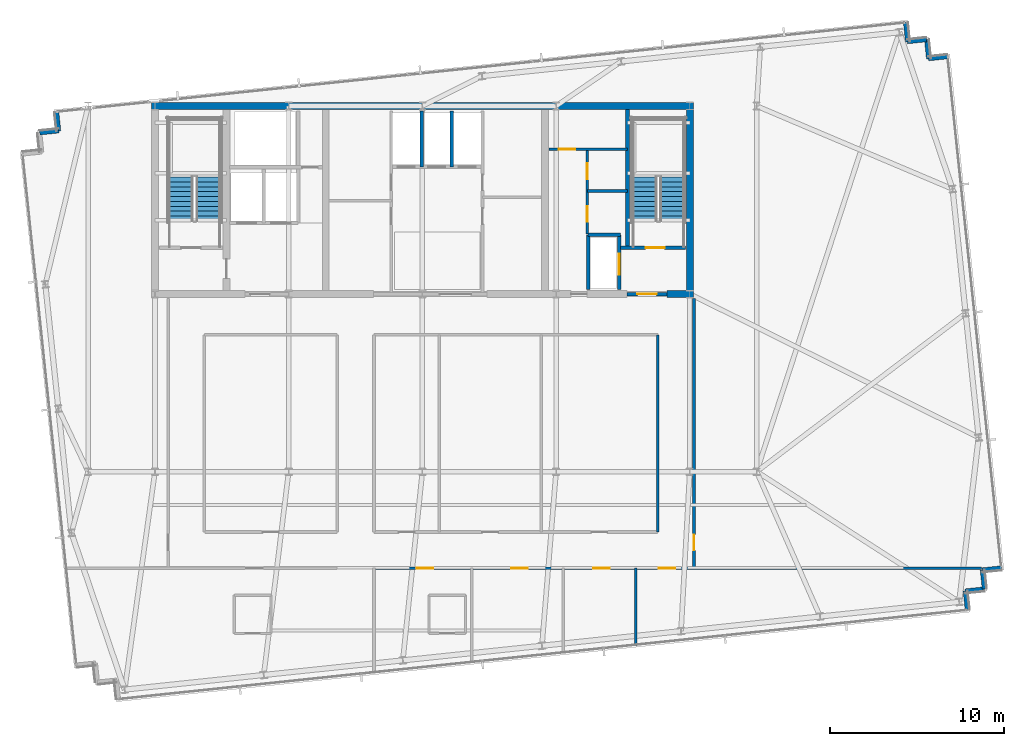
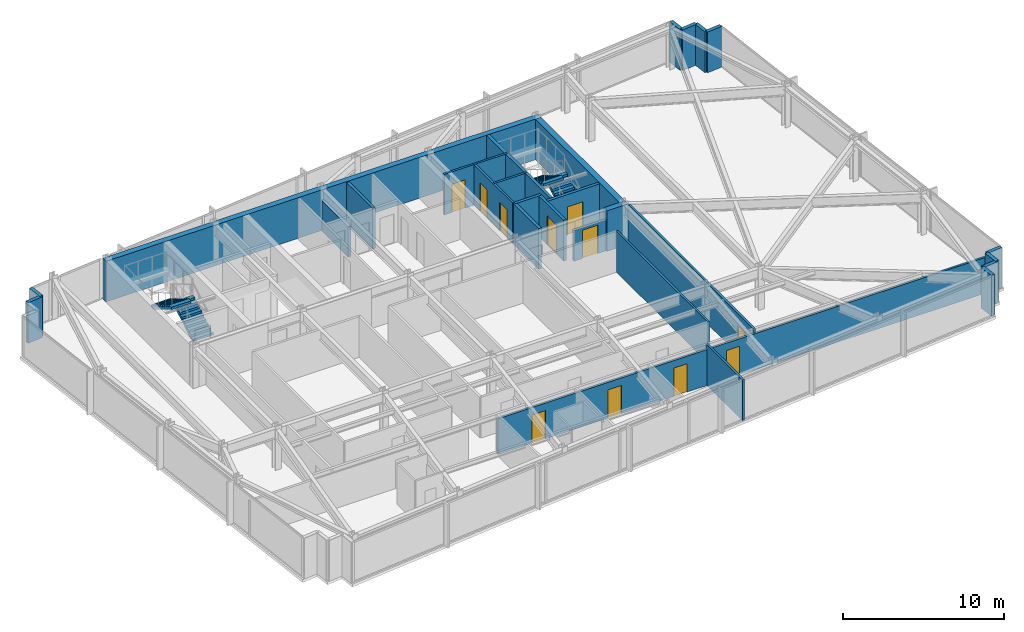
# One storey, part 28 of 32: 28 walls, 11 doors, 4 stair flights, 11 openings, 2 elements without a shape of their own.
"""IFC4 building model written with IfcOpenShell, lengths in metres."""

from ifc_helpers import new_model, si_unit, direction, frame, frame_2d, origin, place, context, subcontext, project, spatial, polyline, rectangle, outline, extrude, material, layer, layer_set, type_object, element, fill, aggregate, save


model = new_model("IFC4")

# Units and contexts
model_context = context("Model", 3, precision=1e-05, world=origin(), true_north=direction((0.0, 1.0)))
body_context = subcontext(model_context, "Body", "Model", "MODEL_VIEW")
ifc_project = project(units=[si_unit("LENGTHUNIT", "METRE"), si_unit("AREAUNIT", "SQUARE_METRE"), si_unit("VOLUMEUNIT", "CUBIC_METRE"), si_unit("PLANEANGLEUNIT", "RADIAN"), si_unit("MASSUNIT", "GRAM", prefix="KILO")], contexts=[model_context])

# Site, building, storey
site_placement = place(None, origin())
site = spatial("IfcSite", under=ifc_project, at=site_placement, CompositionType="ELEMENT")
building_placement = place(site_placement, origin())
building = spatial("IfcBuilding", under=site, at=building_placement, Name="Yelkora Congress Tower", CompositionType="ELEMENT")
storey_placement = place(building_placement, frame((0.0, 0.0, 211.10009765625)))
storey = spatial("IfcBuildingStorey", under=building, at=storey_placement, Name="L58", CompositionType="ELEMENT", Elevation=211.10009765625)

# Walls
ifc_material_1 = material(Name="Concrete C50/60", Category="concrete")
ifc_layer_1 = layer(ifc_material_1, 0.219970703125)
ifc_layer_set_1 = layer_set([ifc_layer_1], Name="Concrete C50/60")
wall_type_1 = type_object("IfcWallType", Name="WALL-CORE-INT-220", PredefinedType="SHEAR", material=ifc_layer_set_1)
wall_1_placement = place(storey_placement, frame((50.179931640625, 38.050048828125, 0.0), z_axis=(0.0, 0.0, 1.0), x_axis=(0.0, 1.0, 0.0)))
element("IfcWall", 1, at=wall_1_placement, inside=storey, type_object=wall_type_1, Name="L58 ST02 West Stair Shear Wall", PredefinedType="SHEAR", context=body_context, shape_type="SweptSolid", body=[
    extrude(rectangle(XDim=7.949951171875, YDim=0.219970703125, at=frame_2d((3.97509765625, 0.0))), origin(), (0.0, 0.0, 1.0), 3.079833984375),
])
ifc_layer_2 = layer(ifc_material_1, 0.39990234375)
ifc_layer_set_2 = layer_set([ifc_layer_2], Name="Concrete C50/60")
wall_type_2 = type_object("IfcWallType", Name="WALL-CORE-INT-400", PredefinedType="SHEAR", material=ifc_layer_set_2)
wall_2_placement = place(storey_placement, frame((22.840087890625, 46.199951171875, 0.0), z_axis=(0.0, 0.0, 1.0), x_axis=(1.0, 0.0, 0.0)))
element("IfcWall", 2, at=wall_2_placement, inside=storey, type_object=wall_type_2, Name="L58 Rear Core North Shear Wall", PredefinedType="SHEAR", context=body_context, shape_type="SweptSolid", body=[
    extrude(rectangle(XDim=31.119873046875, YDim=0.39990234375, at=frame_2d((15.56005859375, 0.0))), origin(), (0.0, 0.0, 1.0), 3.079833984375),
])
wall_3_placement = place(storey_placement, frame((52.449951171875, 35.39990234375, 0.0), z_axis=(0.0, 0.0, 1.0), x_axis=(1.0, 0.0, 0.0)))
element("IfcWall", 3, at=wall_3_placement, inside=storey, type_object=wall_type_2, Name="L58 Rear Core South-East Shear Wall B", PredefinedType="SHEAR", context=body_context, shape_type="SweptSolid", body=[
    extrude(rectangle(XDim=1.510009765625, YDim=0.39990234375, at=frame_2d((0.7548828125, 0.0))), origin(), (0.0, 0.0, 1.0), 3.079833984375),
])
wall_4_placement = place(storey_placement, frame((53.760009765625, 35.60009765625, 0.0), z_axis=(0.0, 0.0, 1.0), x_axis=(0.0, 1.0, 0.0)))
element("IfcWall", 4, at=wall_4_placement, inside=storey, type_object=wall_type_2, Name="L58 Rear Core Cross Shear Wall E", PredefinedType="SHEAR", context=body_context, shape_type="SweptSolid", body=[
    extrude(rectangle(XDim=10.39990234375, YDim=0.39990234375, at=frame_2d((5.199951171875, 0.0))), origin(), (0.0, 0.0, 1.0), 3.079833984375),
])
ifc_material_2 = material(Name="Concrete C40/50", Category="concrete")
ifc_layer_3 = layer(ifc_material_2, 0.239990234375)
ifc_layer_set_3 = layer_set([ifc_layer_3], Name="Concrete C40/50")
wall_type_3 = type_object("IfcWallType", Name="WALL-EXT-LIMESTONE-240", PredefinedType="SOLIDWALL", material=ifc_layer_set_3)
wall_5_placement = place(storey_placement, frame((16.420166015625, 44.65380859375, 0.0), z_axis=(0.0, 0.0, 1.0), x_axis=(0.994541884982, 0.104338099541, 0.0)))
element("IfcWall", 5, at=wall_5_placement, inside=storey, type_object=wall_type_3, Name="L58 Serrated Corner Limestone Pier 8", PredefinedType="SOLIDWALL", context=body_context, shape_type="SweptSolid", body=[
    extrude(rectangle(XDim=1.099853515625, YDim=0.239990234375, at=frame_2d((0.5498046875, 0.0))), origin(), (0.0, 0.0, 1.0), 3.079833984375),
])
for number, where, z_axis, x_axis, name in (
    (6, (17.513916015625, 44.7685546875, 0.0), (0.0, 0.0, 1.0), (-0.104534592565, 0.994521251134, 0.0), "L58 Serrated Corner Limestone Pier 9"),
    (7, (66.150390625, 50.986572265625, 0.0), (0.0, 0.0, 1.0), (0.104534592565, -0.994521251134, 0.0), "L58 Serrated Corner Limestone Pier 11"),
    (8, (66.265380859375, 49.892578125, 0.0), (0.0, 0.0, 1.0), (0.994521251134, 0.104534592565, 0.0), "L58 Serrated Corner Limestone Pier 12"),
    (9, (67.359375, 50.007568359375, 0.0), (0.0, 0.0, 1.0), (0.104534592565, -0.994521251134, 0.0), "L58 Serrated Corner Limestone Pier 13"),
    (10, (67.474365234375, 48.91357421875, 0.0), (0.0, 0.0, 1.0), (0.994521251134, 0.104534592565, 0.0), "L58 Serrated Corner Limestone Pier 14"),
    (11, (71.654052734375, 19.67041015625, 0.0), (0.0, 0.0, 1.0), (-0.994521251134, -0.104534592565, 0.0), "L58 Serrated Corner Limestone Pier 16"),
    (12, (70.56005859375, 19.555419921875, 0.0), (0.0, 0.0, 1.0), (0.104534592565, -0.994521251134, 0.0), "L58 Serrated Corner Limestone Pier 17"),
    (13, (70.675048828125, 18.46142578125, 0.0), (0.0, 0.0, 1.0), (-0.994521251134, -0.104534592565, 0.0), "L58 Serrated Corner Limestone Pier 18"),
    (14, (69.5810546875, 18.346435546875, 0.0), (0.0, 0.0, 1.0), (0.104534592565, -0.994521251134, 0.0), "L58 Serrated Corner Limestone Pier 19"),
):
    element("IfcWall", number, at=place(storey_placement, frame(where, z_axis=z_axis, x_axis=x_axis)), inside=storey, type_object=wall_type_3, Name=name, PredefinedType="SOLIDWALL", context=body_context, shape_type="SweptSolid", body=[
        extrude(rectangle(XDim=1.10009765625, YDim=0.239990234375, at=frame_2d((0.550048828125, 0.0))), origin(), (0.0, 0.0, 1.0), 3.079833984375),
    ])

# Wall, opening, door
ifc_material_3 = material(Name="Acoustic metal-stud gypsum partition", Category="gypsum")
ifc_layer_4 = layer(ifc_material_3, 0.14990234375)
ifc_layer_set_4 = layer_set([ifc_layer_4], Name="Acoustic metal-stud gypsum partition")
wall_type_4 = type_object("IfcWallType", Name="WALL-INT-150-NR", PredefinedType="PARTITIONING", material=ifc_layer_set_4)
wall_6_placement = place(storey_placement, frame((45.679931640625, 43.719970703125, 0.0), z_axis=(0.0, 0.0, 1.0), x_axis=(1.0, 0.0, 0.0)))
wall_6 = element("IfcWall", 15, at=wall_6_placement, inside=storey, type_object=wall_type_4, Name="L58 Partition Wall 20", PredefinedType="PARTITIONING", context=body_context, shape_type="SweptSolid", body=[
    extrude(rectangle(XDim=4.5, YDim=0.14990234375, at=frame_2d((2.25, 0.0))), origin(), (0.0, 0.0, 1.0), 3.079833984375),
])
opening_1_placement = place(wall_6_placement, frame((0.550048828125, 0.0, 0.0)))
opening_1 = element("IfcOpeningElement", 16, at=opening_1_placement, cuts=wall_6, Name="Opening DR-095N", PredefinedType="OPENING", context=body_context, shape_type="SweptSolid", body=[
    extrude(rectangle(XDim=0.949951171875, YDim=2.14990234375, at=frame_2d((0.47509765625, 1.074951171875))), frame((0.0, 0.0849609375, 0.0), z_axis=(0.0, -1.0, 0.0), x_axis=(1.0, 0.0, 0.0)), (0.0, 0.0, 1.0), 0.169921875),
])
ifc_material_4 = material(Name="Acoustic laminated timber office door", Category="wood")
door_type_1 = type_object("IfcDoorType", Name="DOOR-INT-950", OperationType="NOTDEFINED", PredefinedType="DOOR", material=ifc_material_4)
door_1_placement = place(opening_1_placement, origin())
door_1 = element("IfcDoor", 17, at=door_1_placement, inside=storey, type_object=door_type_1, Name="L58 Accessible WC Door", OperationType="SINGLE_SWING_LEFT", OverallHeight=2.14990234375, OverallWidth=0.949951171875, PredefinedType="DOOR", context=body_context, shape_type="SweptSolid", body=[
    extrude(rectangle(XDim=0.949951171875, YDim=2.14990234375, at=frame_2d((0.47509765625, 1.074951171875))), frame((0.0, 0.02490234375, 0.0), z_axis=(0.0, -1.0, 0.0), x_axis=(1.0, 0.0, 0.0)), (0.0, 0.0, 1.0), 0.050048828125),
])
fill(opening_1, door_1)

# Wall
wall_7_placement = place(storey_placement, frame((47.8798828125, 41.320068359375, 0.0), z_axis=(0.0, 0.0, 1.0), x_axis=(1.0, 0.0, 0.0)))
element("IfcWall", 18, at=wall_7_placement, inside=storey, type_object=wall_type_4, Name="L58 Partition Wall 21", PredefinedType="PARTITIONING", context=body_context, shape_type="SweptSolid", body=[
    extrude(rectangle(XDim=2.300048828125, YDim=0.14990234375, at=frame_2d((1.14990234375, 0.0))), origin(), (0.0, 0.0, 1.0), 3.079833984375),
])

# Wall, openings, doors
wall_8_placement = place(storey_placement, frame((47.8798828125, 38.85009765625, 0.0), z_axis=(0.0, 0.0, 1.0), x_axis=(0.0, 1.0, 0.0)))
wall_8 = element("IfcWall", 19, at=wall_8_placement, inside=storey, type_object=wall_type_4, Name="L58 Partition Wall 22", PredefinedType="PARTITIONING", context=body_context, shape_type="SweptSolid", body=[
    extrude(rectangle(XDim=4.869873046875, YDim=0.14990234375, at=frame_2d((2.43505859375, 0.0))), origin(), (0.0, 0.0, 1.0), 3.079833984375),
])
opening_2_placement = place(wall_8_placement, frame((0.699951171875, 0.0, 0.0)))
opening_2 = element("IfcOpeningElement", 20, at=opening_2_placement, cuts=wall_8, Name="Opening DR-090N", PredefinedType="OPENING", context=body_context, shape_type="SweptSolid", body=[
    extrude(rectangle(XDim=0.89990234375, YDim=2.14990234375, at=frame_2d((0.449951171875, 1.074951171875))), frame((0.0, 0.0849609375, 0.0), z_axis=(0.0, -1.0, 0.0), x_axis=(1.0, 0.0, 0.0)), (0.0, 0.0, 1.0), 0.169921875),
])
opening_3_placement = place(wall_8_placement, frame((3.14990234375, 0.0, 0.0)))
opening_3 = element("IfcOpeningElement", 21, at=opening_3_placement, cuts=wall_8, Name="Opening DR-090N", PredefinedType="OPENING", context=body_context, shape_type="SweptSolid", body=[
    extrude(rectangle(XDim=0.89990234375, YDim=2.14990234375, at=frame_2d((0.449951171875, 1.074951171875))), frame((0.0, 0.0849609375, 0.0), z_axis=(0.0, -1.0, 0.0), x_axis=(1.0, 0.0, 0.0)), (0.0, 0.0, 1.0), 0.169921875),
])
ifc_material_5 = material(Name="Moisture-resistant laminate door leaf", Category="wood")
door_type_2 = type_object("IfcDoorType", Name="DOOR-INT-900", OperationType="NOTDEFINED", PredefinedType="DOOR", material=ifc_material_5)
door_2_placement = place(opening_2_placement, origin())
door_2 = element("IfcDoor", 22, at=door_2_placement, inside=storey, type_object=door_type_2, Name="L58 Male WC Door", OperationType="SINGLE_SWING_RIGHT", OverallHeight=2.14990234375, OverallWidth=0.89990234375, PredefinedType="DOOR", context=body_context, shape_type="SweptSolid", body=[
    extrude(rectangle(XDim=0.89990234375, YDim=2.14990234375, at=frame_2d((0.449951171875, 1.074951171875))), frame((0.0, 0.02490234375, 0.0), z_axis=(0.0, -1.0, 0.0), x_axis=(1.0, 0.0, 0.0)), (0.0, 0.0, 1.0), 0.050048828125),
])
fill(opening_2, door_2)
door_3_placement = place(opening_3_placement, origin())
door_3 = element("IfcDoor", 23, at=door_3_placement, inside=storey, type_object=door_type_2, Name="L58 Female WC Door", OperationType="SINGLE_SWING_LEFT", OverallHeight=2.14990234375, OverallWidth=0.89990234375, PredefinedType="DOOR", context=body_context, shape_type="SweptSolid", body=[
    extrude(rectangle(XDim=0.89990234375, YDim=2.14990234375, at=frame_2d((0.449951171875, 1.074951171875))), frame((0.0, 0.02490234375, 0.0), z_axis=(0.0, -1.0, 0.0), x_axis=(1.0, 0.0, 0.0)), (0.0, 0.0, 1.0), 0.050048828125),
])
fill(opening_3, door_3)

# Wall, opening, door
wall_9_placement = place(storey_placement, frame((54.0, 19.64990234375, 0.0), z_axis=(0.0, 0.0, 1.0), x_axis=(0.0, 1.0, 0.0)))
wall_9 = element("IfcWall", 24, at=wall_9_placement, inside=storey, type_object=wall_type_4, Name="L58 Partition Wall 38", PredefinedType="PARTITIONING", context=body_context, shape_type="SweptSolid", body=[
    extrude(rectangle(XDim=15.489990234375, YDim=0.14990234375, at=frame_2d((7.7451171875, 0.0))), origin(), (0.0, 0.0, 1.0), 3.079833984375),
])
opening_4_placement = place(wall_9_placement, frame((1.030029296875, 0.0, 0.0)))
opening_4 = element("IfcOpeningElement", 25, at=opening_4_placement, cuts=wall_9, Name="Opening DR-090N", PredefinedType="OPENING", context=body_context, shape_type="SweptSolid", body=[
    extrude(rectangle(XDim=0.89990234375, YDim=2.14990234375, at=frame_2d((0.449951171875, 1.074951171875))), frame((0.0, 0.0849609375, 0.0), z_axis=(0.0, -1.0, 0.0), x_axis=(1.0, 0.0, 0.0)), (0.0, 0.0, 1.0), 0.169921875),
])
door_4_placement = place(opening_4_placement, origin())
door_4 = element("IfcDoor", 26, at=door_4_placement, inside=storey, type_object=door_type_2, Name="L58 E Wing Door", OperationType="SINGLE_SWING_RIGHT", OverallHeight=2.14990234375, OverallWidth=0.89990234375, PredefinedType="DOOR", context=body_context, shape_type="SweptSolid", body=[
    extrude(rectangle(XDim=0.89990234375, YDim=2.14990234375, at=frame_2d((0.449951171875, 1.074951171875))), frame((0.0, 0.02490234375, 0.0), z_axis=(0.0, -1.0, 0.0), x_axis=(1.0, 0.0, 0.0)), (0.0, 0.0, 1.0), 0.050048828125),
])
fill(opening_4, door_4)

# Walls
wall_10_placement = place(storey_placement, frame((51.919921875, 21.72998046875, 0.0), z_axis=(0.0, 0.0, 1.0), x_axis=(0.0, 1.0, 0.0)))
element("IfcWall", 27, at=wall_10_placement, inside=storey, type_object=wall_type_4, Name="L58 Partition Wall 40", PredefinedType="PARTITIONING", context=body_context, shape_type="SweptSolid", body=[
    extrude(rectangle(XDim=11.320068359375, YDim=0.14990234375, at=frame_2d((5.66015625, 0.0))), origin(), (0.0, 0.0, 1.0), 3.079833984375),
])
ifc_material_6 = material(Name="Twin-stud fire-rated gypsum partition", Category="gypsum")
ifc_layer_5 = layer(ifc_material_6, 0.14990234375)
ifc_layer_set_5 = layer_set([ifc_layer_5], Name="Twin-stud fire-rated gypsum partition")
wall_type_5 = type_object("IfcWallType", Name="WALL-INT-150-R60", PredefinedType="PARTITIONING", material=ifc_layer_set_5)
wall_11_placement = place(storey_placement, frame((50.64892578125, 15.190185546875, 0.0), z_axis=(0.0, 0.0, 1.0), x_axis=(0.0, 1.0, 0.0)))
element("IfcWall", 28, at=wall_11_placement, inside=storey, type_object=wall_type_5, Name="L58 Partition Wall 34", PredefinedType="PARTITIONING", context=body_context, shape_type="SweptSolid", body=[
    extrude(rectangle(XDim=4.479736328125, YDim=0.14990234375, at=frame_2d((2.23974609375, 0.0))), origin(), (0.0, 0.0, 1.0), 3.079833984375),
])

# Wall, openings, doors
wall_12_placement = place(storey_placement, frame((35.6201171875, 19.64990234375, 0.0), z_axis=(0.0, 0.0, 1.0), x_axis=(1.0, 0.0, 0.0)))
wall_12 = element("IfcWall", 29, at=wall_12_placement, inside=storey, type_object=wall_type_5, Name="L58 South Spine Wall East", PredefinedType="PARTITIONING", context=body_context, shape_type="SweptSolid", body=[
    extrude(rectangle(XDim=34.89990234375, YDim=0.14990234375, at=frame_2d((17.449951171875, 0.0))), origin(), (0.0, 0.0, 1.0), 2.71484375),
])
opening_5_placement = place(wall_12_placement, frame((2.4541015625, 0.0, 0.0)))
opening_5 = element("IfcOpeningElement", 30, at=opening_5_placement, cuts=wall_12, Name="Opening DR-095F6", PredefinedType="OPENING", context=body_context, shape_type="SweptSolid", body=[
    extrude(rectangle(XDim=0.949951171875, YDim=2.14990234375, at=frame_2d((0.47509765625, 1.074951171875))), frame((0.0, 0.0849609375, 0.0), z_axis=(0.0, -1.0, 0.0), x_axis=(1.0, 0.0, 0.0)), (0.0, 0.0, 1.0), 0.169921875),
])
opening_6_placement = place(wall_12_placement, frame((7.887939453125, 0.0, 0.0)))
opening_6 = element("IfcOpeningElement", 31, at=opening_6_placement, cuts=wall_12, Name="Opening DR-095F6", PredefinedType="OPENING", context=body_context, shape_type="SweptSolid", body=[
    extrude(rectangle(XDim=0.949951171875, YDim=2.14990234375, at=frame_2d((0.47509765625, 1.074951171875))), frame((0.0, 0.0849609375, 0.0), z_axis=(0.0, -1.0, 0.0), x_axis=(1.0, 0.0, 0.0)), (0.0, 0.0, 1.0), 0.169921875),
])
opening_7_placement = place(wall_12_placement, frame((12.593505859375, 0.0, 0.0)))
opening_7 = element("IfcOpeningElement", 32, at=opening_7_placement, cuts=wall_12, Name="Opening DR-095F6", PredefinedType="OPENING", context=body_context, shape_type="SweptSolid", body=[
    extrude(rectangle(XDim=0.949951171875, YDim=2.14990234375, at=frame_2d((0.47509765625, 1.074951171875))), frame((0.0, 0.0849609375, 0.0), z_axis=(0.0, -1.0, 0.0), x_axis=(1.0, 0.0, 0.0)), (0.0, 0.0, 1.0), 0.169921875),
])
opening_8_placement = place(wall_12_placement, frame((16.344482421875, 0.0, 0.0)))
opening_8 = element("IfcOpeningElement", 33, at=opening_8_placement, cuts=wall_12, Name="Opening DR-095F6", PredefinedType="OPENING", context=body_context, shape_type="SweptSolid", body=[
    extrude(rectangle(XDim=0.949951171875, YDim=2.14990234375, at=frame_2d((0.47509765625, 1.074951171875))), frame((0.0, 0.0849609375, 0.0), z_axis=(0.0, -1.0, 0.0), x_axis=(1.0, 0.0, 0.0)), (0.0, 0.0, 1.0), 0.169921875),
])
ifc_material_7 = material(Name="Acoustic oak-veneer fire door leaf", Category="wood")
door_type_3 = type_object("IfcDoorType", Name="DOOR-FD60-950", OperationType="NOTDEFINED", PredefinedType="DOOR", material=ifc_material_7)
door_5_placement = place(opening_5_placement, origin())
door_5 = element("IfcDoor", 34, at=door_5_placement, inside=storey, type_object=door_type_3, Name="L58 Hotel Guest Room 03 Entry Door", OperationType="SINGLE_SWING_LEFT", OverallHeight=2.14990234375, OverallWidth=0.949951171875, PredefinedType="DOOR", context=body_context, shape_type="SweptSolid", body=[
    extrude(rectangle(XDim=0.949951171875, YDim=2.14990234375, at=frame_2d((0.47509765625, 1.074951171875))), frame((0.0, 0.02490234375, 0.0), z_axis=(0.0, -1.0, 0.0), x_axis=(1.0, 0.0, 0.0)), (0.0, 0.0, 1.0), 0.050048828125),
])
fill(opening_5, door_5)
door_6_placement = place(opening_6_placement, origin())
door_6 = element("IfcDoor", 35, at=door_6_placement, inside=storey, type_object=door_type_3, Name="L58 VIP Hospitality Lounge Entry Door", OperationType="SINGLE_SWING_RIGHT", OverallHeight=2.14990234375, OverallWidth=0.949951171875, PredefinedType="DOOR", context=body_context, shape_type="SweptSolid", body=[
    extrude(rectangle(XDim=0.949951171875, YDim=2.14990234375, at=frame_2d((0.47509765625, 1.074951171875))), frame((0.0, 0.02490234375, 0.0), z_axis=(0.0, -1.0, 0.0), x_axis=(1.0, 0.0, 0.0)), (0.0, 0.0, 1.0), 0.050048828125),
])
fill(opening_6, door_6)
door_7_placement = place(opening_7_placement, origin())
door_7 = element("IfcDoor", 36, at=door_7_placement, inside=storey, type_object=door_type_3, Name="L58 VIP Hospitality Lounge Entry Door", OperationType="SINGLE_SWING_LEFT", OverallHeight=2.14990234375, OverallWidth=0.949951171875, PredefinedType="DOOR", context=body_context, shape_type="SweptSolid", body=[
    extrude(rectangle(XDim=0.949951171875, YDim=2.14990234375, at=frame_2d((0.47509765625, 1.074951171875))), frame((0.0, 0.02490234375, 0.0), z_axis=(0.0, -1.0, 0.0), x_axis=(1.0, 0.0, 0.0)), (0.0, 0.0, 1.0), 0.050048828125),
])
fill(opening_7, door_7)
door_8_placement = place(opening_8_placement, origin())
door_8 = element("IfcDoor", 37, at=door_8_placement, inside=storey, type_object=door_type_3, Name="L58 VIP Hospitality Lounge Entry Door", OperationType="SINGLE_SWING_RIGHT", OverallHeight=2.14990234375, OverallWidth=0.949951171875, PredefinedType="DOOR", context=body_context, shape_type="SweptSolid", body=[
    extrude(rectangle(XDim=0.949951171875, YDim=2.14990234375, at=frame_2d((0.47509765625, 1.074951171875))), frame((0.0, 0.02490234375, 0.0), z_axis=(0.0, -1.0, 0.0), x_axis=(1.0, 0.0, 0.0)), (0.0, 0.0, 1.0), 0.050048828125),
])
fill(opening_8, door_8)

# Walls
ifc_material_8 = material(Name="Autoclaved aerated concrete blockwork", Category="masonry")
ifc_layer_6 = layer(ifc_material_8, 0.199951171875)
ifc_layer_set_6 = layer_set([ifc_layer_6], Name="Autoclaved aerated concrete blockwork")
wall_type_6 = type_object("IfcWallType", Name="WALL-INT-200-R120", PredefinedType="PARTITIONING", material=ifc_layer_set_6)
wall_13_placement = place(storey_placement, frame((38.35009765625, 42.699951171875, 0.0), z_axis=(0.0, 0.0, 1.0), x_axis=(0.0, 1.0, 0.0)))
element("IfcWall", 38, at=wall_13_placement, inside=storey, type_object=wall_type_6, Name="L58 Partition Wall 9", PredefinedType="PARTITIONING", context=body_context, shape_type="SweptSolid", body=[
    extrude(rectangle(XDim=3.219970703125, YDim=0.199951171875, at=frame_2d((1.60986328125, 0.0))), origin(), (0.0, 0.0, 1.0), 2.31298828125),
])
wall_14_placement = place(storey_placement, frame((40.10009765625, 42.699951171875, 0.0), z_axis=(0.0, 0.0, 1.0), x_axis=(0.0, 1.0, 0.0)))
element("IfcWall", 39, at=wall_14_placement, inside=storey, type_object=wall_type_6, Name="L58 Partition Wall 10", PredefinedType="PARTITIONING", context=body_context, shape_type="SweptSolid", body=[
    extrude(rectangle(XDim=3.219970703125, YDim=0.199951171875, at=frame_2d((1.60986328125, 0.0))), origin(), (0.0, 0.0, 1.0), 3.079833984375),
])

# Wall, opening, door
wall_15_placement = place(storey_placement, frame((49.780029296875, 38.050048828125, 0.0), z_axis=(0.0, 0.0, 1.0), x_axis=(1.0, 0.0, 0.0)))
wall_15 = element("IfcWall", 40, at=wall_15_placement, inside=storey, type_object=wall_type_6, Name="L58 Stair ST-02 Enclosure Wall", PredefinedType="PARTITIONING", context=body_context, shape_type="SweptSolid", body=[
    extrude(rectangle(XDim=3.719970703125, YDim=0.199951171875, at=frame_2d((1.85986328125, 0.0))), origin(), (0.0, 0.0, 1.0), 3.079833984375),
])
opening_9_placement = place(wall_15_placement, frame((1.436279296875, 0.0, 0.0)))
opening_9 = element("IfcOpeningElement", 41, at=opening_9_placement, cuts=wall_15, Name="Opening DR-110F9", PredefinedType="OPENING", context=body_context, shape_type="SweptSolid", body=[
    extrude(rectangle(XDim=1.10009765625, YDim=2.14990234375, at=frame_2d((0.550048828125, 1.074951171875))), frame((0.0, 0.10986328125, 0.0), z_axis=(0.0, -1.0, 0.0), x_axis=(1.0, 0.0, 0.0)), (0.0, 0.0, 1.0), 0.219970703125),
])
ifc_material_9 = material(Name="Galvanised steel fire door leaf", Category="steel")
door_type_4 = type_object("IfcDoorType", Name="DOOR-FD90-1100", OperationType="NOTDEFINED", PredefinedType="DOOR", material=ifc_material_9)
door_9_placement = place(opening_9_placement, origin())
door_9 = element("IfcDoor", 42, at=door_9_placement, inside=storey, type_object=door_type_4, Name="L58 Stair ST-02 Entry Door", OperationType="SINGLE_SWING_RIGHT", OverallHeight=2.14990234375, OverallWidth=1.10009765625, PredefinedType="DOOR", context=body_context, shape_type="SweptSolid", body=[
    extrude(rectangle(XDim=1.10009765625, YDim=2.14990234375, at=frame_2d((0.550048828125, 1.074951171875))), frame((0.0, 0.02490234375, 0.0), z_axis=(0.0, -1.0, 0.0), x_axis=(1.0, 0.0, 0.0)), (0.0, 0.0, 1.0), 0.050048828125),
])
fill(opening_9, door_9)

wall_16_placement = place(storey_placement, frame((50.14990234375, 35.39990234375, 0.0), z_axis=(0.0, 0.0, 1.0), x_axis=(1.0, 0.0, 0.0)))
wall_16 = element("IfcWall", 43, at=wall_16_placement, inside=storey, type_object=wall_type_6, Name="L58 Partition Wall 16", PredefinedType="PARTITIONING", context=body_context, shape_type="SweptSolid", body=[
    extrude(rectangle(XDim=2.300048828125, YDim=0.199951171875, at=frame_2d((1.14990234375, 0.0))), origin(), (0.0, 0.0, 1.0), 2.31298828125),
])
opening_10_placement = place(wall_16_placement, frame((0.60009765625, 0.0, 0.0)))
opening_10 = element("IfcOpeningElement", 44, at=opening_10_placement, cuts=wall_16, Name="Opening DR-110F9", PredefinedType="OPENING", context=body_context, shape_type="SweptSolid", body=[
    extrude(rectangle(XDim=1.10009765625, YDim=2.14990234375, at=frame_2d((0.550048828125, 1.074951171875))), frame((0.0, 0.10986328125, 0.0), z_axis=(0.0, -1.0, 0.0), x_axis=(1.0, 0.0, 0.0)), (0.0, 0.0, 1.0), 0.219970703125),
])
door_10_placement = place(opening_10_placement, origin())
door_10 = element("IfcDoor", 45, at=door_10_placement, inside=storey, type_object=door_type_4, Name="L58 East Stair Lobby Door", OperationType="SINGLE_SWING_LEFT", OverallHeight=2.14990234375, OverallWidth=1.10009765625, PredefinedType="DOOR", context=body_context, shape_type="SweptSolid", body=[
    extrude(rectangle(XDim=1.10009765625, YDim=2.14990234375, at=frame_2d((0.550048828125, 1.074951171875))), frame((0.0, 0.02490234375, 0.0), z_axis=(0.0, -1.0, 0.0), x_axis=(1.0, 0.0, 0.0)), (0.0, 0.0, 1.0), 0.050048828125),
])
fill(opening_10, door_10)

wall_17_placement = place(storey_placement, frame((49.699951171875, 35.64990234375, 0.0), z_axis=(0.0, 0.0, 1.0), x_axis=(0.0, 1.0, 0.0)))
wall_17 = element("IfcWall", 46, at=wall_17_placement, inside=storey, type_object=wall_type_6, Name="L58 Partition Wall 17", PredefinedType="PARTITIONING", context=body_context, shape_type="SweptSolid", body=[
    extrude(rectangle(XDim=3.150146484375, YDim=0.199951171875, at=frame_2d((1.5751953125, 0.0))), origin(), (0.0, 0.0, 1.0), 3.079833984375),
])
opening_11_placement = place(wall_17_placement, frame((0.85009765625, 0.0, 0.0)))
opening_11 = element("IfcOpeningElement", 47, at=opening_11_placement, cuts=wall_17, Name="Opening LD-SV12", PredefinedType="OPENING", context=body_context, shape_type="SweptSolid", body=[
    extrude(rectangle(XDim=1.199951171875, YDim=2.199951171875, at=frame_2d((0.60009765625, 1.10009765625))), frame((0.0, 0.10986328125, 0.0), z_axis=(0.0, -1.0, 0.0), x_axis=(1.0, 0.0, 0.0)), (0.0, 0.0, 1.0), 0.219970703125),
])
ifc_material_10 = material(Name="Heavy-duty stainless steel landing door", Category="steel")
door_type_5 = type_object("IfcDoorType", Name="DOOR-LIFT-SRV-1200", OperationType="DOUBLE_DOOR_SLIDING", PredefinedType="DOOR", material=ifc_material_10)
door_11_placement = place(opening_11_placement, origin())
door_11 = element("IfcDoor", 48, at=door_11_placement, inside=storey, type_object=door_type_5, Name="Service Lift Landing Door LF-SV1 L58", OperationType="DOUBLE_DOOR_SLIDING", OverallHeight=2.199951171875, OverallWidth=1.199951171875, PredefinedType="DOOR", context=body_context, shape_type="SweptSolid", body=[
    extrude(rectangle(XDim=1.199951171875, YDim=2.199951171875, at=frame_2d((0.60009765625, 1.10009765625))), frame((0.0, 0.02490234375, 0.0), z_axis=(0.0, -1.0, 0.0), x_axis=(1.0, 0.0, 0.0)), (0.0, 0.0, 1.0), 0.050048828125),
])
fill(opening_11, door_11)

# Walls
wall_18_placement = place(storey_placement, frame((47.919921875, 35.64990234375, 0.0), z_axis=(0.0, 0.0, 1.0), x_axis=(0.0, 1.0, 0.0)))
element("IfcWall", 49, at=wall_18_placement, inside=storey, type_object=wall_type_6, Name="L58 Partition Wall 18", PredefinedType="PARTITIONING", context=body_context, shape_type="SweptSolid", body=[
    extrude(rectangle(XDim=3.150146484375, YDim=0.199951171875, at=frame_2d((1.5751953125, 0.0))), origin(), (0.0, 0.0, 1.0), 3.079833984375),
])
wall_19_placement = place(storey_placement, frame((47.919921875, 38.800048828125, 0.0), z_axis=(0.0, 0.0, 1.0), x_axis=(1.0, 0.0, 0.0)))
element("IfcWall", 50, at=wall_19_placement, inside=storey, type_object=wall_type_6, Name="L58 Partition Wall 19", PredefinedType="PARTITIONING", context=body_context, shape_type="SweptSolid", body=[
    extrude(rectangle(XDim=1.860107421875, YDim=0.199951171875, at=frame_2d((0.93017578125, 0.0))), origin(), (0.0, 0.0, 1.0), 3.079833984375),
])

# Stair, stair flights
stair_type = type_object("IfcStairType", Name="STAIR-HT-1420-R20-165", PredefinedType="HALF_TURN_STAIR", material=ifc_material_2)
stair_1_placement = place(storey_placement, origin())
stair_1 = element("IfcStair", 51, at=stair_1_placement, inside=storey, type_object=stair_type, Name="West Core Protected Exit Stair ST-01 (L58)", PredefinedType="HALF_TURN_STAIR")
stair_flight_type = type_object("IfcStairFlightType", Name="FLIGHT-1420-N10-R165-G280", PredefinedType="STRAIGHT", material=ifc_material_2)
stair_flight_1_placement = place(storey_placement, frame((26.110107421875, 39.60009765625, 0.0), z_axis=(0.0, 0.0, 1.0), x_axis=(0.0, 1.0, 0.0)))
stair_flight_1 = element("IfcStairFlight", 52, at=stair_flight_1_placement, type_object=stair_flight_type, Name="ST-01 L58 Flight 1", NumberOfRisers=10, NumberOfTreads=9, PredefinedType="STRAIGHT", RiserHeight=0.165, TreadLength=0.28, context=body_context, shape_type="SweptSolid", body=[
    extrude(outline(polyline([(0.0, 0.0), (0.0, 0.1650390625), (0.280029296875, 0.1650390625), (0.280029296875, 0.330078125), (0.56005859375, 0.330078125), (0.56005859375, 0.4951171875), (0.840087890625, 0.4951171875), (0.840087890625, 0.659912109375), (1.1201171875, 0.659912109375), (1.1201171875, 0.824951171875), (1.39990234375, 0.824951171875), (1.39990234375, 0.989990234375), (1.679931640625, 0.989990234375), (1.679931640625, 1.155029296875), (1.9599609375, 1.155029296875), (1.9599609375, 1.320068359375), (2.239990234375, 1.320068359375), (2.239990234375, 1.485107421875), (2.52001953125, 1.485107421875), (2.52001953125, 1.64990234375), (2.52001953125, 1.29931640625), (0.31494140625, 0.0), (0.0, 0.0)])), frame((0.0, 0.7099609375, 0.0), z_axis=(0.0, -1.0, 0.0), x_axis=(1.0, 0.0, 0.0)), (0.0, 0.0, 1.0), 1.419921875),
])
stair_flight_2_placement = place(storey_placement, frame((24.530029296875, 42.1201171875, 1.64990234375), z_axis=(0.0, 0.0, 1.0), x_axis=(0.0, -1.0, 0.0)))
stair_flight_2 = element("IfcStairFlight", 53, at=stair_flight_2_placement, type_object=stair_flight_type, Name="ST-01 L58 Flight 2", NumberOfRisers=10, NumberOfTreads=9, PredefinedType="STRAIGHT", RiserHeight=0.165, TreadLength=0.28, context=body_context, shape_type="SweptSolid", body=[
    extrude(outline(polyline([(0.0, 0.0), (0.0, 0.1650390625), (0.280029296875, 0.1650390625), (0.280029296875, 0.330078125), (0.56005859375, 0.330078125), (0.56005859375, 0.4951171875), (0.840087890625, 0.4951171875), (0.840087890625, 0.659912109375), (1.1201171875, 0.659912109375), (1.1201171875, 0.824951171875), (1.39990234375, 0.824951171875), (1.39990234375, 0.989990234375), (1.679931640625, 0.989990234375), (1.679931640625, 1.155029296875), (1.9599609375, 1.155029296875), (1.9599609375, 1.320068359375), (2.239990234375, 1.320068359375), (2.239990234375, 1.485107421875), (2.52001953125, 1.485107421875), (2.52001953125, 1.64990234375), (2.52001953125, 1.29931640625), (0.31494140625, 0.0), (0.0, 0.0)])), frame((0.0, 0.7099609375, 0.0), z_axis=(0.0, -1.0, 0.0), x_axis=(1.0, 0.0, 0.0)), (0.0, 0.0, 1.0), 1.419921875),
])
aggregate(stair_1, [stair_flight_1, stair_flight_2])

stair_2_placement = place(storey_placement, origin())
stair_2 = element("IfcStair", 54, at=stair_2_placement, inside=storey, type_object=stair_type, Name="East Core Protected Exit Stair ST-02 (L58)", PredefinedType="HALF_TURN_STAIR")
stair_flight_3_placement = place(storey_placement, frame((52.75, 39.60009765625, 0.0), z_axis=(0.0, 0.0, 1.0), x_axis=(0.0, 1.0, 0.0)))
stair_flight_3 = element("IfcStairFlight", 55, at=stair_flight_3_placement, type_object=stair_flight_type, Name="ST-02 L58 Flight 1", NumberOfRisers=10, NumberOfTreads=9, PredefinedType="STRAIGHT", RiserHeight=0.165, TreadLength=0.28, context=body_context, shape_type="SweptSolid", body=[
    extrude(outline(polyline([(0.0, 0.0), (0.0, 0.1650390625), (0.280029296875, 0.1650390625), (0.280029296875, 0.330078125), (0.56005859375, 0.330078125), (0.56005859375, 0.4951171875), (0.840087890625, 0.4951171875), (0.840087890625, 0.659912109375), (1.1201171875, 0.659912109375), (1.1201171875, 0.824951171875), (1.39990234375, 0.824951171875), (1.39990234375, 0.989990234375), (1.679931640625, 0.989990234375), (1.679931640625, 1.155029296875), (1.9599609375, 1.155029296875), (1.9599609375, 1.320068359375), (2.239990234375, 1.320068359375), (2.239990234375, 1.485107421875), (2.52001953125, 1.485107421875), (2.52001953125, 1.64990234375), (2.52001953125, 1.29931640625), (0.31494140625, 0.0), (0.0, 0.0)])), frame((0.0, 0.7099609375, 0.0), z_axis=(0.0, -1.0, 0.0), x_axis=(1.0, 0.0, 0.0)), (0.0, 0.0, 1.0), 1.419921875),
])
stair_flight_4_placement = place(storey_placement, frame((51.169921875, 42.1201171875, 1.64990234375), z_axis=(0.0, 0.0, 1.0), x_axis=(0.0, -1.0, 0.0)))
stair_flight_4 = element("IfcStairFlight", 56, at=stair_flight_4_placement, type_object=stair_flight_type, Name="ST-02 L58 Flight 2", NumberOfRisers=10, NumberOfTreads=9, PredefinedType="STRAIGHT", RiserHeight=0.165, TreadLength=0.28, context=body_context, shape_type="SweptSolid", body=[
    extrude(outline(polyline([(0.0, 0.0), (0.0, 0.1650390625), (0.280029296875, 0.1650390625), (0.280029296875, 0.330078125), (0.56005859375, 0.330078125), (0.56005859375, 0.4951171875), (0.840087890625, 0.4951171875), (0.840087890625, 0.659912109375), (1.1201171875, 0.659912109375), (1.1201171875, 0.824951171875), (1.39990234375, 0.824951171875), (1.39990234375, 0.989990234375), (1.679931640625, 0.989990234375), (1.679931640625, 1.155029296875), (1.9599609375, 1.155029296875), (1.9599609375, 1.320068359375), (2.239990234375, 1.320068359375), (2.239990234375, 1.485107421875), (2.52001953125, 1.485107421875), (2.52001953125, 1.64990234375), (2.52001953125, 1.29931640625), (0.31494140625, 0.0), (0.0, 0.0)])), frame((0.0, 0.7099609375, 0.0), z_axis=(0.0, -1.0, 0.0), x_axis=(1.0, 0.0, 0.0)), (0.0, 0.0, 1.0), 1.419921875),
])
aggregate(stair_2, [stair_flight_3, stair_flight_4])

save(model, "model.ifc")
